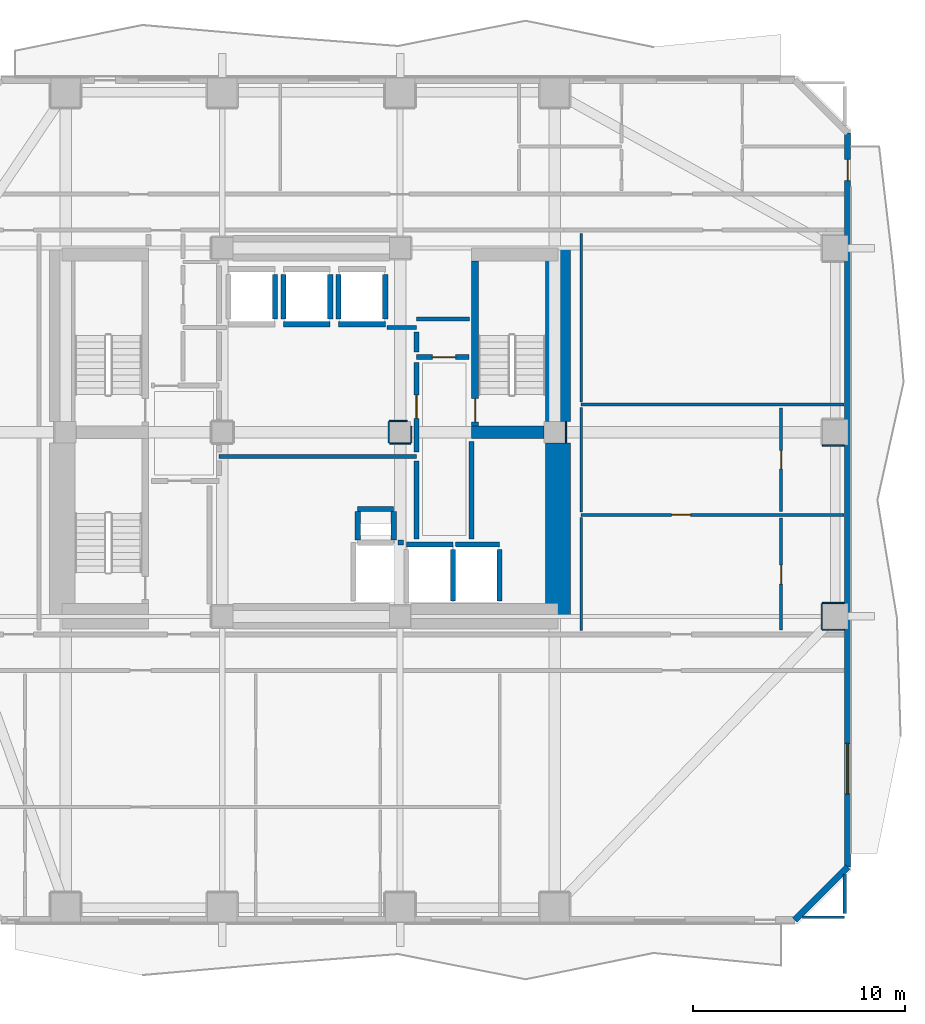
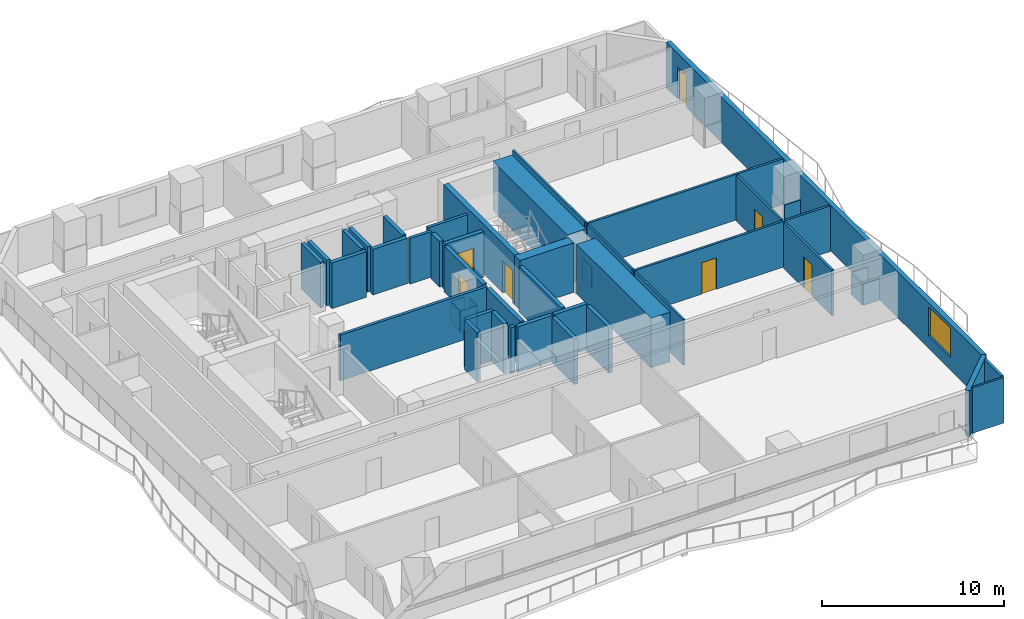
# One storey, part 4 of 9: 47 walls, 7 doors, 1 window, 8 openings.
"""IFC4 building model written with IfcOpenShell, lengths in metres."""

from ifc_helpers import new_model, si_unit, direction, frame, frame_2d, origin, place, context, subcontext, project, spatial, rectangle, extrude, material, layer, layer_set, type_object, element, fill, save


model = new_model("IFC4")

# Units and contexts
model_context = context("Model", 3, precision=1e-05, world=origin(), true_north=direction((0.0, 1.0)))
body_context = subcontext(model_context, "Body", "Model", "MODEL_VIEW")
ifc_project = project(units=[si_unit("LENGTHUNIT", "METRE"), si_unit("AREAUNIT", "SQUARE_METRE"), si_unit("VOLUMEUNIT", "CUBIC_METRE"), si_unit("PLANEANGLEUNIT", "RADIAN"), si_unit("MASSUNIT", "GRAM", prefix="KILO")], contexts=[model_context])

# Site, building, storey
site_placement = place(None, origin())
site = spatial("IfcSite", under=ifc_project, at=site_placement, CompositionType="ELEMENT")
building_placement = place(site_placement, origin())
building = spatial("IfcBuilding", under=site, at=building_placement, Name="Solanera Arch Residences", CompositionType="ELEMENT")
storey_placement = place(building_placement, frame((0.0, 0.0, 55.199951171875)))
storey = spatial("IfcBuildingStorey", under=building, at=storey_placement, Name="L15", CompositionType="ELEMENT", Elevation=55.199951171875)

# Walls
ifc_material_1 = material(Name="Fire-Rated Gypsum Stud Partition", Category="gypsum")
ifc_layer_1 = layer(ifc_material_1, 0.06005859375)
ifc_layer_set_1 = layer_set([ifc_layer_1], Name="Fire-Rated Gypsum Stud Partition")
wall_type_1 = type_object("IfcWallType", Name="Column Acoustic Furring Wall 60", PredefinedType="PARTITIONING", material=ifc_layer_set_1)
wall_1_placement = place(storey_placement, frame((37.031982421875, 30.2099609375, 0.0), z_axis=(0.0, 0.0, 1.0), x_axis=(0.0, 1.0, 0.0)))
element("IfcWall", 1, at=wall_1_placement, inside=storey, type_object=wall_type_1, Name="L15 Column Furring 6E", PredefinedType="PARTITIONING", context=body_context, shape_type="SweptSolid", body=[
    extrude(rectangle(XDim=0.97998046875, YDim=0.06005859375, at=frame_2d((0.489990234375, 0.0))), origin(), (0.0, 0.0, 1.0), 1.449951171875),
])
wall_2_placement = place(storey_placement, frame((28.699951171875, 30.16796875, 0.0), z_axis=(0.0, 0.0, 1.0), x_axis=(1.0, 0.0, 0.0)))
element("IfcWall", 2, at=wall_2_placement, inside=storey, type_object=wall_type_1, Name="L15 Column Furring 8S", PredefinedType="PARTITIONING", context=body_context, shape_type="SweptSolid", body=[
    extrude(rectangle(XDim=1.0, YDim=0.06005859375, at=frame_2d((0.5, 0.0))), origin(), (0.0, 0.0, 1.0), 1.449951171875),
])
wall_3_placement = place(storey_placement, frame((28.699951171875, 31.23193359375, 0.0), z_axis=(0.0, 0.0, 1.0), x_axis=(1.0, 0.0, 0.0)))
element("IfcWall", 3, at=wall_3_placement, inside=storey, type_object=wall_type_1, Name="L15 Column Furring 8N", PredefinedType="PARTITIONING", context=body_context, shape_type="SweptSolid", body=[
    extrude(rectangle(XDim=0.841064453125, YDim=0.06005859375, at=frame_2d((0.42041015625, 0.0))), origin(), (0.0, 0.0, 1.0), 1.449951171875),
])
wall_4_placement = place(storey_placement, frame((28.66796875, 30.199951171875, 0.0), z_axis=(0.0, 0.0, 1.0), x_axis=(0.0, 1.0, 0.0)))
element("IfcWall", 4, at=wall_4_placement, inside=storey, type_object=wall_type_1, Name="L15 Column Furring 8W", PredefinedType="PARTITIONING", context=body_context, shape_type="SweptSolid", body=[
    extrude(rectangle(XDim=1.0, YDim=0.06005859375, at=frame_2d((0.5, 0.0))), origin(), (0.0, 0.0, 1.0), 1.449951171875),
])
wall_5_placement = place(storey_placement, frame((29.73193359375, 30.199951171875, 0.0), z_axis=(0.0, 0.0, 1.0), x_axis=(0.0, 1.0, 0.0)))
element("IfcWall", 5, at=wall_5_placement, inside=storey, type_object=wall_type_1, Name="L15 Column Furring 8E", PredefinedType="PARTITIONING", context=body_context, shape_type="SweptSolid", body=[
    extrude(rectangle(XDim=0.77197265625, YDim=0.06005859375, at=frame_2d((0.385986328125, 0.0))), origin(), (0.0, 0.0, 1.0), 1.449951171875),
])
for number, where, z_axis, x_axis, name in (
    (6, (49.14990234375, 21.367919921875, 0.0), (0.0, 0.0, 1.0), (1.0, 0.0, 0.0), "L15 Column Furring 18S"),
    (7, (49.14990234375, 22.632080078125, 0.0), (0.0, 0.0, 1.0), (1.0, 0.0, 0.0), "L15 Column Furring 18N"),
):
    element("IfcWall", number, at=place(storey_placement, frame(where, z_axis=z_axis, x_axis=x_axis)), inside=storey, type_object=wall_type_1, Name=name, PredefinedType="PARTITIONING", context=body_context, shape_type="SweptSolid", body=[
        extrude(rectangle(XDim=1.02001953125, YDim=0.06005859375, at=frame_2d((0.510009765625, 0.0))), origin(), (0.0, 0.0, 1.0), 1.449951171875),
    ])
wall_6_placement = place(storey_placement, frame((49.117919921875, 21.39990234375, 0.0), z_axis=(0.0, 0.0, 1.0), x_axis=(0.0, 1.0, 0.0)))
element("IfcWall", 8, at=wall_6_placement, inside=storey, type_object=wall_type_1, Name="L15 Column Furring 18W", PredefinedType="PARTITIONING", context=body_context, shape_type="SweptSolid", body=[
    extrude(rectangle(XDim=1.2001953125, YDim=0.06005859375, at=frame_2d((0.60009765625, 0.0))), origin(), (0.0, 0.0, 1.0), 1.449951171875),
])
wall_7_placement = place(storey_placement, frame((49.14990234375, 30.068115234375, 0.0), z_axis=(0.0, 0.0, 1.0), x_axis=(1.0, 0.0, 0.0)))
element("IfcWall", 9, at=wall_7_placement, inside=storey, type_object=wall_type_1, Name="L15 Column Furring 20S", PredefinedType="PARTITIONING", context=body_context, shape_type="SweptSolid", body=[
    extrude(rectangle(XDim=1.02001953125, YDim=0.06005859375, at=frame_2d((0.510009765625, 0.0))), origin(), (0.0, 0.0, 1.0), 1.449951171875),
])
ifc_material_2 = material(Name="Concrete C55/67 (f'c = 60 MPa)", Category="concrete")
ifc_layer_2 = layer(ifc_material_2, 1.199951171875)
ifc_layer_set_2 = layer_set([ifc_layer_2], Name="Concrete C55/67 (f'c = 60 MPa)")
wall_type_2 = type_object("IfcWallType", Name="Core Shear Wall CW-1200", PredefinedType="SHEAR", material=ifc_layer_set_2)
wall_8_placement = place(storey_placement, frame((36.659912109375, 22.0, 0.0), z_axis=(0.0, 0.0, 1.0), x_axis=(0.0, 1.0, 0.0)))
element("IfcWall", 10, at=wall_8_placement, inside=storey, type_object=wall_type_2, Name="L15 East Core South Shear Wall", PredefinedType="SHEAR", context=body_context, shape_type="SweptSolid", body=[
    extrude(rectangle(XDim=8.195068359375, YDim=1.199951171875, at=frame_2d((4.09765625, 0.0))), origin(), (0.0, 0.0, 1.0), 3.320068359375),
])
wall_9_placement = place(storey_placement, frame((36.659912109375, 31.205078125, 0.0), z_axis=(0.0, 0.0, 1.0), x_axis=(0.0, 1.0, 0.0)))
element("IfcWall", 11, at=wall_9_placement, inside=storey, type_object=wall_type_2, Name="L15 East Core North Shear Wall", PredefinedType="SHEAR", context=body_context, shape_type="SweptSolid", body=[
    extrude(rectangle(XDim=8.19482421875, YDim=1.199951171875, at=frame_2d((4.097412109375, 0.0))), origin(), (0.0, 0.0, 1.0), 3.320068359375),
])

# Wall, opening, door
ifc_material_3 = material(Name="Concrete C40/50 (f'c = 45 MPa)", Category="concrete")
ifc_layer_3 = layer(ifc_material_3, 0.320068359375)
ifc_layer_set_3 = layer_set([ifc_layer_3], Name="Concrete C40/50 (f'c = 45 MPa)")
wall_type_3 = type_object("IfcWallType", Name="Core Shear Wall CW-320", PredefinedType="SHEAR", material=ifc_layer_set_3)
wall_10_placement = place(storey_placement, frame((32.739990234375, 31.0, 0.0), z_axis=(0.0, 0.0, 1.0), x_axis=(0.0, 1.0, 0.0)))
wall_10 = element("IfcWall", 12, at=wall_10_placement, inside=storey, type_object=wall_type_3, Name="L15 Stair ST-T2 West Shear Wall", PredefinedType="SHEAR", context=body_context, shape_type="SweptSolid", body=[
    extrude(rectangle(XDim=7.800048828125, YDim=0.320068359375, at=frame_2d((3.89990234375, 0.0))), origin(), (0.0, 0.0, 1.0), 3.320068359375),
])
opening_1_placement = place(wall_10_placement, frame((0.18994140625, 0.0, 0.0)))
opening_1 = element("IfcOpeningElement", 13, at=opening_1_placement, cuts=wall_10, Name="Opening DF-01", PredefinedType="OPENING", context=body_context, shape_type="SweptSolid", body=[
    extrude(rectangle(XDim=1.10009765625, YDim=2.14990234375, at=frame_2d((0.550048828125, 1.074951171875))), frame((0.0, 0.169921875, 0.0), z_axis=(0.0, -1.0, 0.0), x_axis=(1.0, 0.0, 0.0)), (0.0, 0.0, 1.0), 0.3401),
])
ifc_material_4 = material(Name="Fire-Rated Architectural Hardwood", Category="wood")
door_type_1 = type_object("IfcDoorType", Name="Stair Exit Fire Door DF-01", OperationType="NOTDEFINED", PredefinedType="DOOR", material=ifc_material_4)
door_1_placement = place(opening_1_placement, origin())
door_1 = element("IfcDoor", 14, at=door_1_placement, inside=storey, type_object=door_type_1, Name="DR-L15-STAIR-ST-T2", OperationType="SINGLE_SWING_RIGHT", OverallHeight=2.14990234375, OverallWidth=1.10009765625, PredefinedType="DOOR", context=body_context, shape_type="SweptSolid", body=[
    extrude(rectangle(XDim=1.10009765625, YDim=2.14990234375, at=frame_2d((0.550048828125, 1.074951171875))), frame((0.0, 0.02490234375, 0.0), z_axis=(0.0, -1.0, 0.0), x_axis=(1.0, 0.0, 0.0)), (0.0, 0.0, 1.0), 0.050048828125),
])
fill(opening_1, door_1)

# Walls
ifc_material_5 = material(Name="Concrete C40/50 (f'c = 45 MPa)", Category="concrete")
ifc_layer_4 = layer(ifc_material_5, 0.60009765625)
ifc_layer_set_4 = layer_set([ifc_layer_4], Name="Concrete C40/50 (f'c = 45 MPa)")
wall_type_4 = type_object("IfcWallType", Name="Core Shear Wall CW-600", PredefinedType="SHEAR", material=ifc_layer_set_4)
wall_11_placement = place(storey_placement, frame((32.580078125, 30.699951171875, 0.0), z_axis=(0.0, 0.0, 1.0), x_axis=(1.0, 0.0, 0.0)))
element("IfcWall", 15, at=wall_11_placement, inside=storey, type_object=wall_type_4, Name="L15 East Stair Far-Landing Shear Wall", PredefinedType="SHEAR", context=body_context, shape_type="SweptSolid", body=[
    extrude(rectangle(XDim=3.4150390625, YDim=0.60009765625, at=frame_2d((1.70751953125, 0.0))), origin(), (0.0, 0.0, 1.0), 3.320068359375),
])
ifc_material_6 = material(Name="Autoclaved Aerated Concrete Blockwork", Category="masonry")
ifc_layer_5 = layer(ifc_material_6, 0.179931640625)
ifc_layer_set_5 = layer_set([ifc_layer_5], Name="Autoclaved Aerated Concrete Blockwork")
wall_type_5 = type_object("IfcWallType", Name="Corridor Fire Partition 180", PredefinedType="PARTITIONING", material=ifc_layer_set_5)
wall_12_placement = place(storey_placement, frame((20.64990234375, 29.550048828125, 0.0), z_axis=(0.0, 0.0, 1.0), x_axis=(1.0, 0.0, 0.0)))
element("IfcWall", 16, at=wall_12_placement, inside=storey, type_object=wall_type_5, Name="L15 Interior Partition H7", PredefinedType="PARTITIONING", context=body_context, shape_type="SweptSolid", body=[
    extrude(rectangle(XDim=9.3251953125, YDim=0.179931640625, at=frame_2d((4.66259765625, 0.0))), origin(), (0.0, 0.0, 1.0), 3.06005859375),
])
wall_13_placement = place(storey_placement, frame((28.593017578125, 35.64990234375, 0.0), z_axis=(0.0, 0.0, 1.0), x_axis=(1.0, 0.0, 0.0)))
element("IfcWall", 17, at=wall_13_placement, inside=storey, type_object=wall_type_5, Name="L15 Interior Partition H8 2", PredefinedType="PARTITIONING", context=body_context, shape_type="SweptSolid", body=[
    extrude(rectangle(XDim=1.382080078125, YDim=0.179931640625, at=frame_2d((0.69091796875, 0.0))), origin(), (0.0, 0.0, 1.0), 3.06005859375),
])
wall_14_placement = place(storey_placement, frame((29.97509765625, 36.050048828125, 0.0), z_axis=(0.0, 0.0, 1.0), x_axis=(1.0, 0.0, 0.0)))
element("IfcWall", 18, at=wall_14_placement, inside=storey, type_object=wall_type_5, Name="L15 Interior Partition H9", PredefinedType="PARTITIONING", context=body_context, shape_type="SweptSolid", body=[
    extrude(rectangle(XDim=2.5048828125, YDim=0.179931640625, at=frame_2d((1.25244140625, 0.0))), origin(), (0.0, 0.0, 1.0), 3.06005859375),
])
wall_15_placement = place(storey_placement, frame((50.199951171875, 7.9580078125, 0.0), z_axis=(0.0, 0.0, 1.0), x_axis=(0.0, 1.0, 0.0)))
element("IfcWall", 19, at=wall_15_placement, inside=storey, type_object=wall_type_5, Name="L15 Interior Partition V9 1", PredefinedType="PARTITIONING", context=body_context, shape_type="SweptSolid", body=[
    extrude(rectangle(XDim=1.843017578125, YDim=0.179931640625, at=frame_2d((0.92138671875, 0.0))), origin(), (0.0, 0.0, 1.0), 3.06005859375),
])

# Wall, openings, door, window
ifc_material_7 = material(Name="Precast Concrete C35/45", Category="concrete")
ifc_layer_6 = layer(ifc_material_7, 0.300048828125)
ifc_layer_set_6 = layer_set([ifc_layer_6], Name="Precast Concrete C35/45")
wall_type_6 = type_object("IfcWallType", Name="Exterior Wall Precast Masonry-Frame 300", PredefinedType="STANDARD", material=ifc_layer_set_6)
wall_16_placement = place(storey_placement, frame((50.3349609375, 44.8349609375, 0.0), z_axis=(0.0, 0.0, 1.0), x_axis=(0.0, -1.0, 0.0)))
wall_16 = element("IfcWall", 20, at=wall_16_placement, inside=storey, type_object=wall_type_6, Name="L15 Tower Exterior Precast Masonry-Frame Wall E", PredefinedType="STANDARD", context=body_context, shape_type="SweptSolid", body=[
    extrude(rectangle(XDim=34.669921875, YDim=0.300048828125, at=frame_2d((17.3349609375, 0.0))), origin(), (0.0, 0.0, 1.0), 3.06005859375),
])
opening_2_placement = place(wall_16_placement, frame((1.2509765625, 0.0, 0.0)))
opening_2 = element("IfcOpeningElement", 21, at=opening_2_placement, cuts=wall_16, Name="Opening DB-01", PredefinedType="OPENING", context=body_context, shape_type="SweptSolid", body=[
    extrude(rectangle(XDim=1.0, YDim=2.14990234375, at=frame_2d((0.5, 1.074951171875))), frame((0.0, 0.159912109375, 0.0), z_axis=(0.0, -1.0, 0.0), x_axis=(1.0, 0.0, 0.0)), (0.0, 0.0, 1.0), 0.32),
])
opening_3_placement = place(wall_16_placement, frame((28.83203125, 0.0, 0.85009765625)))
opening_3 = element("IfcOpeningElement", 22, at=opening_3_placement, cuts=wall_16, Name="Opening W-05", PredefinedType="OPENING", context=body_context, shape_type="SweptSolid", body=[
    extrude(rectangle(XDim=2.39990234375, YDim=1.949951171875, at=frame_2d((1.199951171875, 0.97509765625))), frame((0.0, 0.159912109375, 0.0), z_axis=(0.0, -1.0, 0.0), x_axis=(1.0, 0.0, 0.0)), (0.0, 0.0, 1.0), 0.32),
])
ifc_material_8 = material(Name="Anodised Aluminium Alloy 6063-T6", Category="aluminium")
door_type_2 = type_object("IfcDoorType", Name="Glazed Balcony Swing Door DB-01", OperationType="NOTDEFINED", PredefinedType="DOOR", material=ifc_material_8)
door_2_placement = place(opening_2_placement, origin())
door_2 = element("IfcDoor", 23, at=door_2_placement, inside=storey, type_object=door_type_2, Name="DR-L15-OUT-03", OperationType="SINGLE_SWING_LEFT", OverallHeight=2.14990234375, OverallWidth=1.0, PredefinedType="DOOR", context=body_context, shape_type="SweptSolid", body=[
    extrude(rectangle(XDim=1.0, YDim=2.14990234375, at=frame_2d((0.5, 1.074951171875))), frame((0.0, 0.02490234375, 0.0), z_axis=(0.0, -1.0, 0.0), x_axis=(1.0, 0.0, 0.0)), (0.0, 0.0, 1.0), 0.050048828125),
])
fill(opening_2, door_2)
ifc_material_9 = material(Name="Double Glazed Low-E Laminated Glass", Category="glass")
window_type = type_object("IfcWindowType", Name="Punched Window W-05", PartitioningType="TRIPLE_PANEL_VERTICAL", PredefinedType="WINDOW", material=ifc_material_9)
window_placement = place(opening_3_placement, origin())
window = element("IfcWindow", 24, at=window_placement, inside=storey, type_object=window_type, Name="L15 AMN-LNG Punched Window", OverallHeight=1.949951171875, OverallWidth=2.39990234375, PartitioningType="SINGLE_PANEL", PredefinedType="WINDOW", context=body_context, shape_type="SweptSolid", body=[
    extrude(rectangle(XDim=2.39990234375, YDim=1.949951171875, at=frame_2d((1.199951171875, 0.97509765625))), frame((0.0, 0.030029296875, 0.0), z_axis=(0.0, -1.0, 0.0), x_axis=(1.0, 0.0, 0.0)), (0.0, 0.0, 1.0), 0.06005859375),
])
fill(opening_3, window)

# Walls
wall_17_placement = place(storey_placement, frame((50.3349609375, 10.1650390625, 0.0), z_axis=(0.0, 0.0, 1.0), x_axis=(-0.707106781187, -0.707106781187, 0.0)))
element("IfcWall", 25, at=wall_17_placement, inside=storey, type_object=wall_type_6, Name="L15 Tower Exterior Precast Masonry-Frame Wall CH5", PredefinedType="STANDARD", context=body_context, shape_type="SweptSolid", body=[
    extrude(rectangle(XDim=3.53564453125, YDim=0.300048828125, at=frame_2d((1.767822265625, 0.0))), origin(), (0.0, 0.0, 1.0), 3.06005859375),
])
ifc_material_10 = material(Name="Concrete C40/50 (f'c = 45 MPa)", Category="concrete")
ifc_layer_7 = layer(ifc_material_10, 0.239990234375)
ifc_layer_set_7 = layer_set([ifc_layer_7], Name="Concrete C40/50 (f'c = 45 MPa)")
wall_type_7 = type_object("IfcWallType", Name="Ramp Bearing Shear Wall RW-240", PredefinedType="SHEAR", material=ifc_layer_set_7)
wall_18_placement = place(storey_placement, frame((27.199951171875, 27.080078125, 0.0), z_axis=(0.0, 0.0, 1.0), x_axis=(1.0, 0.0, 0.0)))
element("IfcWall", 26, at=wall_18_placement, inside=storey, type_object=wall_type_7, Name="L15 Core MEP Riser North Shaft Wall", PredefinedType="SHEAR", context=body_context, shape_type="SweptSolid", body=[
    extrude(rectangle(XDim=1.699951171875, YDim=0.239990234375, at=frame_2d((0.85009765625, 0.0))), origin(), (0.0, 0.0, 1.0), 3.320068359375),
])
for number, where, z_axis, x_axis, name in (
    (27, (27.199951171875, 25.60009765625, 0.0), (0.0, 0.0, 1.0), (0.0, 1.0, 0.0), "L15 Core MEP Riser West Shaft Wall"),
    (28, (28.89990234375, 25.60009765625, 0.0), (0.0, 0.0, 1.0), (0.0, 1.0, 0.0), "L15 Core MEP Riser East Shaft Wall"),
):
    element("IfcWall", number, at=place(storey_placement, frame(where, z_axis=z_axis, x_axis=x_axis)), inside=storey, type_object=wall_type_7, Name=name, PredefinedType="SHEAR", context=body_context, shape_type="SweptSolid", body=[
        extrude(rectangle(XDim=1.35986328125, YDim=0.239990234375, at=frame_2d((0.679931640625, 0.0))), origin(), (0.0, 0.0, 1.0), 3.320068359375),
    ])
ifc_material_11 = material(Name="Autoclaved Aerated Concrete Blockwork", Category="masonry")
ifc_layer_8 = layer(ifc_material_11, 0.239990234375)
ifc_layer_set_8 = layer_set([ifc_layer_8], Name="Autoclaved Aerated Concrete Blockwork")
wall_type_8 = type_object("IfcWallType", Name="Shaft Wall Fire-Rated 240", PredefinedType="PARTITIONING", material=ifc_layer_set_8)
wall_19_placement = place(storey_placement, frame((23.300048828125, 36.048095703125, 0.0), z_axis=(0.0, 0.0, 1.0), x_axis=(0.0, 1.0, 0.0)))
element("IfcWall", 29, at=wall_19_placement, inside=storey, type_object=wall_type_8, Name="L15 Lift PL-L1 Hoistway Wall E", PredefinedType="PARTITIONING", context=body_context, shape_type="SweptSolid", body=[
    extrude(rectangle(XDim=2.10400390625, YDim=0.239990234375, at=frame_2d((1.052001953125, 0.0))), origin(), (0.0, 0.0, 1.0), 3.06005859375),
])
wall_20_placement = place(storey_placement, frame((23.699951171875, 35.800048828125, 0.0), z_axis=(0.0, 0.0, 1.0), x_axis=(1.0, 0.0, 0.0)))
element("IfcWall", 30, at=wall_20_placement, inside=storey, type_object=wall_type_8, Name="L15 Lift PL-L2 Hoistway Wall S", PredefinedType="PARTITIONING", context=body_context, shape_type="SweptSolid", body=[
    extrude(rectangle(XDim=2.199951171875, YDim=0.239990234375, at=frame_2d((1.10009765625, 0.0))), origin(), (0.0, 0.0, 1.0), 3.06005859375),
])
for number, where, z_axis, x_axis, name in (
    (31, (23.699951171875, 36.048095703125, 0.0), (0.0, 0.0, 1.0), (0.0, 1.0, 0.0), "L15 Lift PL-L2 Hoistway Wall W"),
    (32, (25.89990234375, 36.048095703125, 0.0), (0.0, 0.0, 1.0), (0.0, 1.0, 0.0), "L15 Lift PL-L2 Hoistway Wall E"),
):
    element("IfcWall", number, at=place(storey_placement, frame(where, z_axis=z_axis, x_axis=x_axis)), inside=storey, type_object=wall_type_8, Name=name, PredefinedType="PARTITIONING", context=body_context, shape_type="SweptSolid", body=[
        extrude(rectangle(XDim=2.10400390625, YDim=0.239990234375, at=frame_2d((1.052001953125, 0.0))), origin(), (0.0, 0.0, 1.0), 3.06005859375),
    ])
wall_21_placement = place(storey_placement, frame((26.300048828125, 35.800048828125, 0.0), z_axis=(0.0, 0.0, 1.0), x_axis=(1.0, 0.0, 0.0)))
element("IfcWall", 33, at=wall_21_placement, inside=storey, type_object=wall_type_8, Name="L15 Lift PL-L3 Hoistway Wall S", PredefinedType="PARTITIONING", context=body_context, shape_type="SweptSolid", body=[
    extrude(rectangle(XDim=2.199951171875, YDim=0.239990234375, at=frame_2d((1.10009765625, 0.0))), origin(), (0.0, 0.0, 1.0), 3.06005859375),
])
for number, where, z_axis, x_axis, name in (
    (34, (26.300048828125, 36.048095703125, 0.0), (0.0, 0.0, 1.0), (0.0, 1.0, 0.0), "L15 Lift PL-L3 Hoistway Wall W"),
    (35, (28.5, 36.048095703125, 0.0), (0.0, 0.0, 1.0), (0.0, 1.0, 0.0), "L15 Lift PL-L3 Hoistway Wall E"),
):
    element("IfcWall", number, at=place(storey_placement, frame(where, z_axis=z_axis, x_axis=x_axis)), inside=storey, type_object=wall_type_8, Name=name, PredefinedType="PARTITIONING", context=body_context, shape_type="SweptSolid", body=[
        extrude(rectangle(XDim=2.10400390625, YDim=0.239990234375, at=frame_2d((1.052001953125, 0.0))), origin(), (0.0, 0.0, 1.0), 3.06005859375),
    ])
wall_22_placement = place(storey_placement, frame((29.5, 25.39990234375, 0.0), z_axis=(0.0, 0.0, 1.0), x_axis=(1.0, 0.0, 0.0)))
element("IfcWall", 36, at=wall_22_placement, inside=storey, type_object=wall_type_8, Name="L15 Lift FFL-1 Hoistway Wall N", PredefinedType="PARTITIONING", context=body_context, shape_type="SweptSolid", body=[
    extrude(rectangle(XDim=2.199951171875, YDim=0.239990234375, at=frame_2d((1.10009765625, 0.0))), origin(), (0.0, 0.0, 1.0), 3.06005859375),
])
wall_23_placement = place(storey_placement, frame((31.699951171875, 22.72998046875, 0.0), z_axis=(0.0, 0.0, 1.0), x_axis=(0.0, 1.0, 0.0)))
element("IfcWall", 37, at=wall_23_placement, inside=storey, type_object=wall_type_8, Name="L15 Lift FFL-1 Hoistway Wall E", PredefinedType="PARTITIONING", context=body_context, shape_type="SweptSolid", body=[
    extrude(rectangle(XDim=2.422119140625, YDim=0.239990234375, at=frame_2d((1.2109375, 0.0))), origin(), (0.0, 0.0, 1.0), 3.06005859375),
])
wall_24_placement = place(storey_placement, frame((31.827880859375, 25.39990234375, 0.0), z_axis=(0.0, 0.0, 1.0), x_axis=(1.0, 0.0, 0.0)))
element("IfcWall", 38, at=wall_24_placement, inside=storey, type_object=wall_type_8, Name="L15 Lift FFL-2 Hoistway Wall N", PredefinedType="PARTITIONING", context=body_context, shape_type="SweptSolid", body=[
    extrude(rectangle(XDim=2.072021484375, YDim=0.239990234375, at=frame_2d((1.0361328125, 0.0))), origin(), (0.0, 0.0, 1.0), 3.06005859375),
])
wall_25_placement = place(storey_placement, frame((33.89990234375, 22.72998046875, 0.0), z_axis=(0.0, 0.0, 1.0), x_axis=(0.0, 1.0, 0.0)))
element("IfcWall", 39, at=wall_25_placement, inside=storey, type_object=wall_type_8, Name="L15 Lift FFL-2 Hoistway Wall E", PredefinedType="PARTITIONING", context=body_context, shape_type="SweptSolid", body=[
    extrude(rectangle(XDim=2.422119140625, YDim=0.239990234375, at=frame_2d((1.2109375, 0.0))), origin(), (0.0, 0.0, 1.0), 3.06005859375),
])
wall_26_placement = place(storey_placement, frame((29.10302734375, 25.5, 0.0), z_axis=(0.0, 0.0, 1.0), x_axis=(1.0, 0.0, 0.0)))
element("IfcWall", 40, at=wall_26_placement, inside=storey, type_object=wall_type_8, Name="L15 Lift SVL-1 Hoistway Wall N", PredefinedType="PARTITIONING", context=body_context, shape_type="SweptSolid", body=[
    extrude(rectangle(XDim=0.26904296875, YDim=0.239990234375, at=frame_2d((0.134521484375, 0.0))), origin(), (0.0, 0.0, 1.0), 3.06005859375),
])

# Wall, opening, door
wall_27_placement = place(storey_placement, frame((29.97509765625, 34.25, 0.0), z_axis=(0.0, 0.0, 1.0), x_axis=(1.0, 0.0, 0.0)))
wall_27 = element("IfcWall", 41, at=wall_27_placement, inside=storey, type_object=wall_type_8, Name="L15 Interior Partition H5", PredefinedType="PARTITIONING", context=body_context, shape_type="SweptSolid", body=[
    extrude(rectangle(XDim=2.474853515625, YDim=0.239990234375, at=frame_2d((1.2373046875, 0.0))), origin(), (0.0, 0.0, 1.0), 3.06005859375),
])
opening_4_placement = place(wall_27_placement, frame((0.751953125, 0.0, 0.0)))
opening_4 = element("IfcOpeningElement", 42, at=opening_4_placement, cuts=wall_27, Name="Opening DF-02", PredefinedType="OPENING", context=body_context, shape_type="SweptSolid", body=[
    extrude(rectangle(XDim=1.10009765625, YDim=2.14990234375, at=frame_2d((0.550048828125, 1.074951171875))), frame((0.0, 0.1298828125, 0.0), z_axis=(0.0, -1.0, 0.0), x_axis=(1.0, 0.0, 0.0)), (0.0, 0.0, 1.0), 0.26),
])
ifc_material_12 = material(Name="Fire-Rated Architectural Hardwood", Category="wood")
door_type_3 = type_object("IfcDoorType", Name="Firefighting Lobby Fire Door DF-02", OperationType="NOTDEFINED", PredefinedType="DOOR", material=ifc_material_12)
door_3_placement = place(opening_4_placement, origin())
door_3 = element("IfcDoor", 43, at=door_3_placement, inside=storey, type_object=door_type_3, Name="DR-L15-IN-007", OperationType="SINGLE_SWING_LEFT", OverallHeight=2.14990234375, OverallWidth=1.10009765625, PredefinedType="DOOR", context=body_context, shape_type="SweptSolid", body=[
    extrude(rectangle(XDim=1.10009765625, YDim=2.14990234375, at=frame_2d((0.550048828125, 1.074951171875))), frame((0.0, 0.02490234375, 0.0), z_axis=(0.0, -1.0, 0.0), x_axis=(1.0, 0.0, 0.0)), (0.0, 0.0, 1.0), 0.050048828125),
])
fill(opening_4, door_3)

# Wall
wall_28_placement = place(storey_placement, frame((29.97509765625, 25.64794921875, 0.0), z_axis=(0.0, 0.0, 1.0), x_axis=(0.0, 1.0, 0.0)))
element("IfcWall", 44, at=wall_28_placement, inside=storey, type_object=wall_type_8, Name="L15 Interior Partition V4 1", PredefinedType="PARTITIONING", context=body_context, shape_type="SweptSolid", body=[
    extrude(rectangle(XDim=3.68408203125, YDim=0.239990234375, at=frame_2d((1.842041015625, 0.0))), origin(), (0.0, 0.0, 1.0), 3.06005859375),
])

# Wall, opening, door
wall_29_placement = place(storey_placement, frame((29.97509765625, 29.76806640625, 0.0), z_axis=(0.0, 0.0, 1.0), x_axis=(0.0, 1.0, 0.0)))
wall_29 = element("IfcWall", 45, at=wall_29_placement, inside=storey, type_object=wall_type_8, Name="L15 Interior Partition V4 2", PredefinedType="PARTITIONING", context=body_context, shape_type="SweptSolid", body=[
    extrude(rectangle(XDim=4.23388671875, YDim=0.239990234375, at=frame_2d((2.116943359375, 0.0))), origin(), (0.0, 0.0, 1.0), 3.06005859375),
])
opening_5_placement = place(wall_29_placement, frame((1.58203125, 0.0, 0.0)))
opening_5 = element("IfcOpeningElement", 46, at=opening_5_placement, cuts=wall_29, Name="Opening DF-02", PredefinedType="OPENING", context=body_context, shape_type="SweptSolid", body=[
    extrude(rectangle(XDim=1.10009765625, YDim=2.14990234375, at=frame_2d((0.550048828125, 1.074951171875))), frame((0.0, 0.1298828125, 0.0), z_axis=(0.0, -1.0, 0.0), x_axis=(1.0, 0.0, 0.0)), (0.0, 0.0, 1.0), 0.26),
])
door_4_placement = place(opening_5_placement, origin())
door_4 = element("IfcDoor", 47, at=door_4_placement, inside=storey, type_object=door_type_3, Name="DR-L15-IN-006", OperationType="SINGLE_SWING_RIGHT", OverallHeight=2.14990234375, OverallWidth=1.10009765625, PredefinedType="DOOR", context=body_context, shape_type="SweptSolid", body=[
    extrude(rectangle(XDim=1.10009765625, YDim=2.14990234375, at=frame_2d((0.550048828125, 1.074951171875))), frame((0.0, 0.02490234375, 0.0), z_axis=(0.0, -1.0, 0.0), x_axis=(1.0, 0.0, 0.0)), (0.0, 0.0, 1.0), 0.050048828125),
])
fill(opening_5, door_4)

# Walls
wall_30_placement = place(storey_placement, frame((29.97509765625, 34.498046875, 0.0), z_axis=(0.0, 0.0, 1.0), x_axis=(0.0, 1.0, 0.0)))
element("IfcWall", 48, at=wall_30_placement, inside=storey, type_object=wall_type_8, Name="L15 Interior Partition V4 3", PredefinedType="PARTITIONING", context=body_context, shape_type="SweptSolid", body=[
    extrude(rectangle(XDim=0.933837890625, YDim=0.239990234375, at=frame_2d((0.466796875, 0.0))), origin(), (0.0, 0.0, 1.0), 3.06005859375),
])
wall_31_placement = place(storey_placement, frame((32.580078125, 25.64794921875, 0.0), z_axis=(0.0, 0.0, 1.0), x_axis=(0.0, 1.0, 0.0)))
element("IfcWall", 49, at=wall_31_placement, inside=storey, type_object=wall_type_8, Name="L15 Interior Partition V5", PredefinedType="PARTITIONING", context=body_context, shape_type="SweptSolid", body=[
    extrude(rectangle(XDim=4.6220703125, YDim=0.239990234375, at=frame_2d((2.31103515625, 0.0))), origin(), (0.0, 0.0, 1.0), 3.06005859375),
])
ifc_material_13 = material(Name="Fire-Rated Gypsum Stud Partition", Category="gypsum")
ifc_layer_9 = layer(ifc_material_13, 0.1201171875)
ifc_layer_set_9 = layer_set([ifc_layer_9], Name="Fire-Rated Gypsum Stud Partition")
wall_type_9 = type_object("IfcWallType", Name="Unit Drywall Partition 120", PredefinedType="PARTITIONING", material=ifc_layer_set_9)
wall_32_placement = place(storey_placement, frame((48.198974609375, 7.800048828125, 0.0), z_axis=(0.0, 0.0, 1.0), x_axis=(1.0, 0.0, 0.0)))
element("IfcWall", 50, at=wall_32_placement, inside=storey, type_object=wall_type_9, Name="L15 Interior Partition H19 2", PredefinedType="PARTITIONING", context=body_context, shape_type="SweptSolid", body=[
    extrude(rectangle(XDim=2.0009765625, YDim=0.1201171875, at=frame_2d((1.00048828125, 0.0))), origin(), (0.0, 0.0, 1.0), 3.06005859375),
])
wall_33_placement = place(storey_placement, frame((37.75, 21.337890625, 0.0), z_axis=(0.0, 0.0, 1.0), x_axis=(0.0, 1.0, 0.0)))
element("IfcWall", 51, at=wall_33_placement, inside=storey, type_object=wall_type_9, Name="L15 Interior Partition V21 1", PredefinedType="PARTITIONING", context=body_context, shape_type="SweptSolid", body=[
    extrude(rectangle(XDim=5.32421875, YDim=0.1201171875, at=frame_2d((2.662109375, 0.0))), origin(), (0.0, 0.0, 1.0), 3.06005859375),
])
wall_34_placement = place(storey_placement, frame((37.75, 26.93798828125, 0.0), z_axis=(0.0, 0.0, 1.0), x_axis=(0.0, 1.0, 0.0)))
element("IfcWall", 52, at=wall_34_placement, inside=storey, type_object=wall_type_9, Name="L15 Interior Partition V21 2", PredefinedType="PARTITIONING", context=body_context, shape_type="SweptSolid", body=[
    extrude(rectangle(XDim=4.924072265625, YDim=0.1201171875, at=frame_2d((2.4619140625, 0.0))), origin(), (0.0, 0.0, 1.0), 3.06005859375),
])
wall_35_placement = place(storey_placement, frame((37.75, 32.137939453125, 0.0), z_axis=(0.0, 0.0, 1.0), x_axis=(0.0, 1.0, 0.0)))
element("IfcWall", 53, at=wall_35_placement, inside=storey, type_object=wall_type_9, Name="L15 Interior Partition V21 3", PredefinedType="PARTITIONING", context=body_context, shape_type="SweptSolid", body=[
    extrude(rectangle(XDim=7.9541015625, YDim=0.1201171875, at=frame_2d((3.97705078125, 0.0))), origin(), (0.0, 0.0, 1.0), 3.06005859375),
])

# Wall, opening, door
ifc_material_14 = material(Name="Autoclaved Aerated Concrete Blockwork", Category="masonry")
ifc_layer_10 = layer(ifc_material_14, 0.139892578125)
ifc_layer_set_10 = layer_set([ifc_layer_10], Name="Autoclaved Aerated Concrete Blockwork")
wall_type_10 = type_object("IfcWallType", Name="Wet-Room Partition 140", PredefinedType="PARTITIONING", material=ifc_layer_set_10)
wall_36_placement = place(storey_placement, frame((37.75, 26.800048828125, 0.0), z_axis=(0.0, 0.0, 1.0), x_axis=(1.0, 0.0, 0.0)))
wall_36 = element("IfcWall", 54, at=wall_36_placement, inside=storey, type_object=wall_type_10, Name="L15 Interior Partition H13", PredefinedType="PARTITIONING", context=body_context, shape_type="SweptSolid", body=[
    extrude(rectangle(XDim=12.423095703125, YDim=0.139892578125, at=frame_2d((6.21142578125, 0.0))), origin(), (0.0, 0.0, 1.0), 3.06005859375),
])
opening_6_placement = place(wall_36_placement, frame((4.27490234375, 0.0, 0.0)))
opening_6 = element("IfcOpeningElement", 55, at=opening_6_placement, cuts=wall_36, Name="Opening DI-02", PredefinedType="OPENING", context=body_context, shape_type="SweptSolid", body=[
    extrude(rectangle(XDim=0.89990234375, YDim=2.10009765625, at=frame_2d((0.449951171875, 1.050048828125))), frame((0.0, 0.079833984375, 0.0), z_axis=(0.0, -1.0, 0.0), x_axis=(1.0, 0.0, 0.0)), (0.0, 0.0, 1.0), 0.1599),
])
ifc_material_15 = material(Name="Fire-Rated Architectural Hardwood", Category="wood")
door_type_4 = type_object("IfcDoorType", Name="Suite Room Swing Door DI-02", OperationType="NOTDEFINED", PredefinedType="DOOR", material=ifc_material_15)
door_5_placement = place(opening_6_placement, origin())
door_5 = element("IfcDoor", 56, at=door_5_placement, inside=storey, type_object=door_type_4, Name="DR-L15-IN-032", OperationType="SINGLE_SWING_RIGHT", OverallHeight=2.10009765625, OverallWidth=0.89990234375, PredefinedType="DOOR", context=body_context, shape_type="SweptSolid", body=[
    extrude(rectangle(XDim=0.89990234375, YDim=2.10009765625, at=frame_2d((0.449951171875, 1.050048828125))), frame((0.0, 0.02490234375, 0.0), z_axis=(0.0, -1.0, 0.0), x_axis=(1.0, 0.0, 0.0)), (0.0, 0.0, 1.0), 0.050048828125),
])
fill(opening_6, door_5)

# Wall
wall_37_placement = place(storey_placement, frame((37.75, 32.0, 0.0), z_axis=(0.0, 0.0, 1.0), x_axis=(1.0, 0.0, 0.0)))
element("IfcWall", 57, at=wall_37_placement, inside=storey, type_object=wall_type_10, Name="L15 Interior Partition H14", PredefinedType="PARTITIONING", context=body_context, shape_type="SweptSolid", body=[
    extrude(rectangle(XDim=12.423095703125, YDim=0.139892578125, at=frame_2d((6.21142578125, 0.0))), origin(), (0.0, 0.0, 1.0), 3.06005859375),
])

# Wall, opening, door
wall_38_placement = place(storey_placement, frame((47.199951171875, 21.347900390625, 0.0), z_axis=(0.0, 0.0, 1.0), x_axis=(0.0, 1.0, 0.0)))
wall_38 = element("IfcWall", 58, at=wall_38_placement, inside=storey, type_object=wall_type_10, Name="L15 Interior Partition V16 1", PredefinedType="PARTITIONING", context=body_context, shape_type="SweptSolid", body=[
    extrude(rectangle(XDim=5.30419921875, YDim=0.139892578125, at=frame_2d((2.652099609375, 0.0))), origin(), (0.0, 0.0, 1.0), 3.06005859375),
])
opening_7_placement = place(wall_38_placement, frame((2.177001953125, 0.0, 0.0)))
opening_7 = element("IfcOpeningElement", 59, at=opening_7_placement, cuts=wall_38, Name="Opening DI-02", PredefinedType="OPENING", context=body_context, shape_type="SweptSolid", body=[
    extrude(rectangle(XDim=0.89990234375, YDim=2.10009765625, at=frame_2d((0.449951171875, 1.050048828125))), frame((0.0, 0.079833984375, 0.0), z_axis=(0.0, -1.0, 0.0), x_axis=(1.0, 0.0, 0.0)), (0.0, 0.0, 1.0), 0.1599),
])
door_6_placement = place(opening_7_placement, origin())
door_6 = element("IfcDoor", 60, at=door_6_placement, inside=storey, type_object=door_type_4, Name="DR-L15-IN-033", OperationType="SINGLE_SWING_LEFT", OverallHeight=2.10009765625, OverallWidth=0.89990234375, PredefinedType="DOOR", context=body_context, shape_type="SweptSolid", body=[
    extrude(rectangle(XDim=0.89990234375, YDim=2.10009765625, at=frame_2d((0.449951171875, 1.050048828125))), frame((0.0, 0.02490234375, 0.0), z_axis=(0.0, -1.0, 0.0), x_axis=(1.0, 0.0, 0.0)), (0.0, 0.0, 1.0), 0.050048828125),
])
fill(opening_7, door_6)

wall_39_placement = place(storey_placement, frame((47.199951171875, 26.947998046875, 0.0), z_axis=(0.0, 0.0, 1.0), x_axis=(0.0, 1.0, 0.0)))
wall_39 = element("IfcWall", 61, at=wall_39_placement, inside=storey, type_object=wall_type_10, Name="L15 Interior Partition V16 2", PredefinedType="PARTITIONING", context=body_context, shape_type="SweptSolid", body=[
    extrude(rectangle(XDim=4.904052734375, YDim=0.139892578125, at=frame_2d((2.4521484375, 0.0))), origin(), (0.0, 0.0, 1.0), 3.06005859375),
])
opening_8_placement = place(wall_39_placement, frame((2.02197265625, 0.0, 0.0)))
opening_8 = element("IfcOpeningElement", 62, at=opening_8_placement, cuts=wall_39, Name="Opening DI-05", PredefinedType="OPENING", context=body_context, shape_type="SweptSolid", body=[
    extrude(rectangle(XDim=0.860107421875, YDim=2.02001953125, at=frame_2d((0.43017578125, 1.010009765625))), frame((0.0, 0.079833984375, 0.0), z_axis=(0.0, -1.0, 0.0), x_axis=(1.0, 0.0, 0.0)), (0.0, 0.0, 1.0), 0.1599),
])
ifc_material_16 = material(Name="Fire-Rated Architectural Hardwood", Category="wood")
door_type_5 = type_object("IfcDoorType", Name="Bathroom Swing Door DI-05", OperationType="NOTDEFINED", PredefinedType="DOOR", material=ifc_material_16)
door_7_placement = place(opening_8_placement, origin())
door_7 = element("IfcDoor", 63, at=door_7_placement, inside=storey, type_object=door_type_5, Name="DR-L15-IN-034", OperationType="SINGLE_SWING_RIGHT", OverallHeight=2.02001953125, OverallWidth=0.860107421875, PredefinedType="DOOR", context=body_context, shape_type="SweptSolid", body=[
    extrude(rectangle(XDim=0.860107421875, YDim=2.02001953125, at=frame_2d((0.43017578125, 1.010009765625))), frame((0.0, 0.02490234375, 0.0), z_axis=(0.0, -1.0, 0.0), x_axis=(1.0, 0.0, 0.0)), (0.0, 0.0, 1.0), 0.050048828125),
])
fill(opening_8, door_7)

save(model, "model.ifc")
